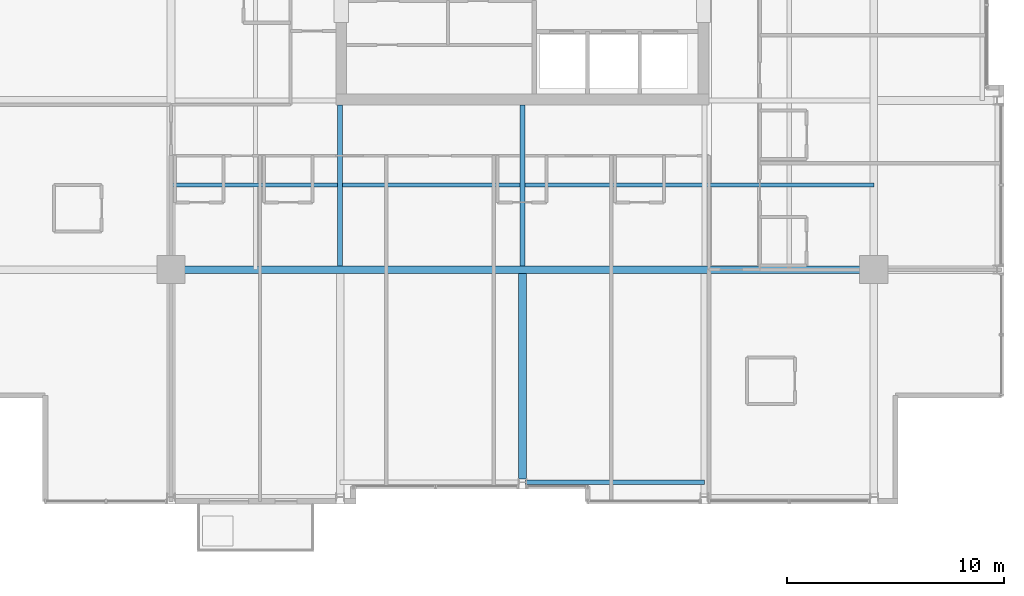
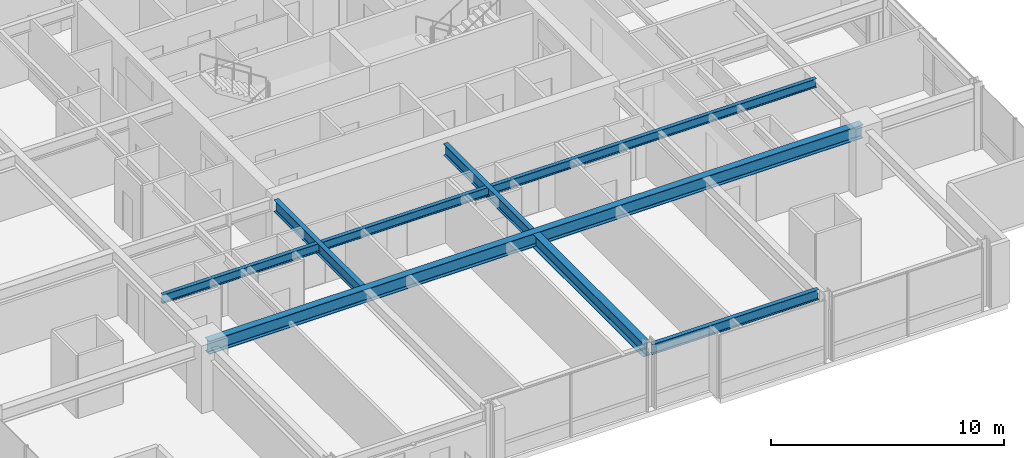
# One storey, part 6 of 32: 6 beams.
"""IFC4 building model written with IfcOpenShell, lengths in metres."""

from ifc_helpers import new_model, si_unit, direction, frame, origin, origin_2d, place, context, subcontext, project, spatial, i_section, extrude, material, material_profile, profile_set, type_object, element, save


model = new_model("IFC4")

# Units and contexts
model_context = context("Model", 3, precision=1e-05, world=origin(), true_north=direction((0.0, 1.0)))
body_context = subcontext(model_context, "Body", "Model", "MODEL_VIEW")
ifc_project = project(units=[si_unit("LENGTHUNIT", "METRE"), si_unit("AREAUNIT", "SQUARE_METRE"), si_unit("VOLUMEUNIT", "CUBIC_METRE"), si_unit("PLANEANGLEUNIT", "RADIAN"), si_unit("MASSUNIT", "GRAM", prefix="KILO")], contexts=[model_context])

# Site, building, storey
site_placement = place(None, origin())
site = spatial("IfcSite", under=ifc_project, at=site_placement, CompositionType="ELEMENT")
building_placement = place(site_placement, origin())
building = spatial("IfcBuilding", under=site, at=building_placement, Name="Drelvath Grand Hotel", CompositionType="ELEMENT")
storey_placement = place(building_placement, frame((0.0, 0.0, 150.39990234375)))
storey = spatial("IfcBuildingStorey", under=building, at=storey_placement, Name="L38", CompositionType="ELEMENT", Elevation=150.39990234375)

# Beams
ifc_material = material(Name="Steel ASTM A992 Gr 50", Category="steel")
ifc_material_profile_1 = material_profile(ifc_material, i_section(OverallWidth=0.19140625, OverallDepth=0.4599609375, WebThickness=0.010009765625, FlangeThickness=0.01611328125, FilletRadius=0.01611328125, at=origin_2d()), Name="W18X55")
ifc_profile_set_1 = profile_set([ifc_material_profile_1], Name="Steel ASTM A992 Gr 50")
beam_type_1 = type_object("IfcBeamType", Name="Composite Floor Joist W18X55", PredefinedType="JOIST", material=ifc_profile_set_1)
beam_1_placement = place(storey_placement, frame((-16.199951171875, 14.699951171875, 3.06005859375), z_axis=(1.0, 0.0, 0.0), x_axis=(0.0, 1.0, 0.0)))
element("IfcBeam", 1, at=beam_1_placement, inside=storey, type_object=beam_type_1, Name="L38 Floor Joist J1", PredefinedType="JOIST", context=body_context, shape_type="SweptSolid", body=[
    extrude(i_section(OverallWidth=0.19140625, OverallDepth=0.4599609375, WebThickness=0.010009765625, FlangeThickness=0.01611328125, FilletRadius=0.01611328125, at=origin_2d()), origin(), (0.0, 0.0, 1.0), 32.39990234375),
])
ifc_material_profile_2 = material_profile(ifc_material, i_section(OverallWidth=0.210205078125, OverallDepth=0.53662109375, WebThickness=0.010986328125, FlangeThickness=0.017333984375, FilletRadius=0.01806640625, at=origin_2d()), Name="W21X68")
ifc_profile_set_2 = profile_set([ifc_material_profile_2], Name="Steel ASTM A992 Gr 50")
beam_type_2 = type_object("IfcBeamType", Name="Perimeter Spandrel Beam W21X68", PredefinedType="SPANDREL", material=ifc_profile_set_2)
beam_2_placement = place(storey_placement, frame((0.139892578125, 1.0, 3.021728515625), z_axis=(1.0, 0.0, 0.0), x_axis=(0.0, 1.0, 0.0)))
element("IfcBeam", 2, at=beam_2_placement, inside=storey, type_object=beam_type_2, Name="L38 Spandrel South Mid E", PredefinedType="SPANDREL", context=body_context, shape_type="SweptSolid", body=[
    extrude(i_section(OverallWidth=0.210205078125, OverallDepth=0.53662109375, WebThickness=0.010986328125, FlangeThickness=0.017333984375, FilletRadius=0.01806640625, at=origin_2d()), origin(), (0.0, 0.0, 1.0), 8.260009765625),
])
ifc_material_profile_3 = material_profile(ifc_material, i_section(OverallWidth=0.228271484375, OverallDepth=0.607666015625, WebThickness=0.01123046875, FlangeThickness=0.017333984375, FilletRadius=0.02001953125, at=origin_2d()), Name="W24X76")
ifc_profile_set_3 = profile_set([ifc_material_profile_3], Name="Steel ASTM A992 Gr 50")
beam_type_3 = type_object("IfcBeamType", Name="Primary Floor Girder W24X76", PredefinedType="BEAM", material=ifc_profile_set_3)
for number, where, z_axis, x_axis, name in (
    (3, (-8.39990234375, 10.977294921875, 2.986328125), (0.0, 1.0, 0.0), (-1.0, 0.0, 0.0), "L38 South Core Tie 4"),
    (4, (0.0, 10.977294921875, 2.986328125), (0.0, 1.0, 0.0), (-1.0, 0.0, 0.0), "L38 South Core Tie 5"),
):
    element("IfcBeam", number, at=place(storey_placement, frame(where, z_axis=z_axis, x_axis=x_axis)), inside=storey, type_object=beam_type_3, Name=name, PredefinedType="BEAM", context=body_context, shape_type="SweptSolid", body=[
        extrude(i_section(OverallWidth=0.228271484375, OverallDepth=0.607666015625, WebThickness=0.01123046875, FlangeThickness=0.017333984375, FilletRadius=0.02001953125, at=origin_2d()), origin(), (0.0, 0.0, 1.0), 7.422607421875),
    ])
ifc_material_profile_4 = material_profile(ifc_material, i_section(OverallWidth=0.354736328125, OverallDepth=0.695556640625, WebThickness=0.015380859375, FlangeThickness=0.025146484375, FilletRadius=0.02392578125, at=origin_2d()), Name="W27X146")
ifc_profile_set_4 = profile_set([ifc_material_profile_4], Name="Steel ASTM A992 Gr 50")
beam_type_4 = type_object("IfcBeamType", Name="Primary Floor Girder W27X146", PredefinedType="BEAM", material=ifc_profile_set_4)
beam_3_placement = place(storey_placement, frame((-16.199951171875, 10.800048828125, 2.9423828125), z_axis=(1.0, 0.0, 0.0), x_axis=(0.0, 1.0, 0.0)))
element("IfcBeam", 5, at=beam_3_placement, inside=storey, type_object=beam_type_4, Name="L38 Mega Ring Girder South", PredefinedType="BEAM", context=body_context, shape_type="SweptSolid", body=[
    extrude(i_section(OverallWidth=0.354736328125, OverallDepth=0.695556640625, WebThickness=0.015380859375, FlangeThickness=0.025146484375, FilletRadius=0.02392578125, at=origin_2d()), origin(), (0.0, 0.0, 1.0), 32.39990234375),
])
beam_4_placement = place(storey_placement, frame((0.0, 1.139892578125, 2.9423828125), z_axis=(0.0, 1.0, 0.0), x_axis=(-1.0, 0.0, 0.0)))
element("IfcBeam", 6, at=beam_4_placement, inside=storey, type_object=beam_type_4, Name="L38 South Wing Girder 5", PredefinedType="BEAM", context=body_context, shape_type="SweptSolid", body=[
    extrude(i_section(OverallWidth=0.354736328125, OverallDepth=0.695556640625, WebThickness=0.015380859375, FlangeThickness=0.025146484375, FilletRadius=0.02392578125, at=origin_2d()), origin(), (0.0, 0.0, 1.0), 9.482666015625),
])

save(model, "model.ifc")
